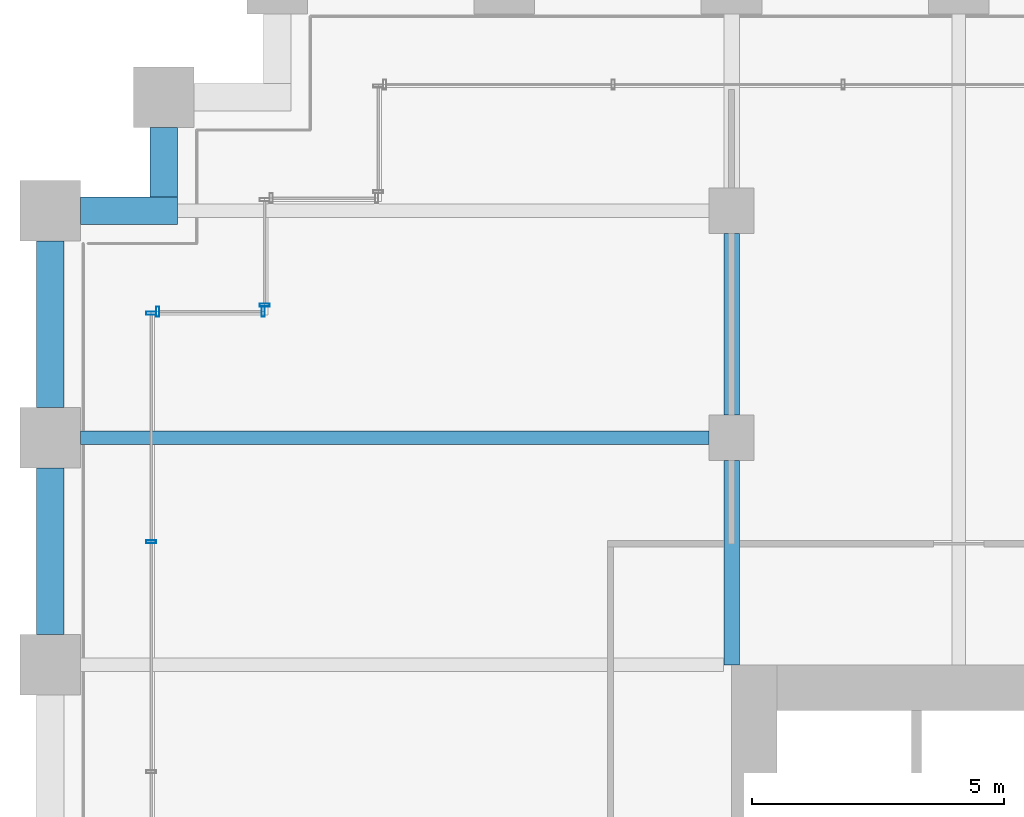
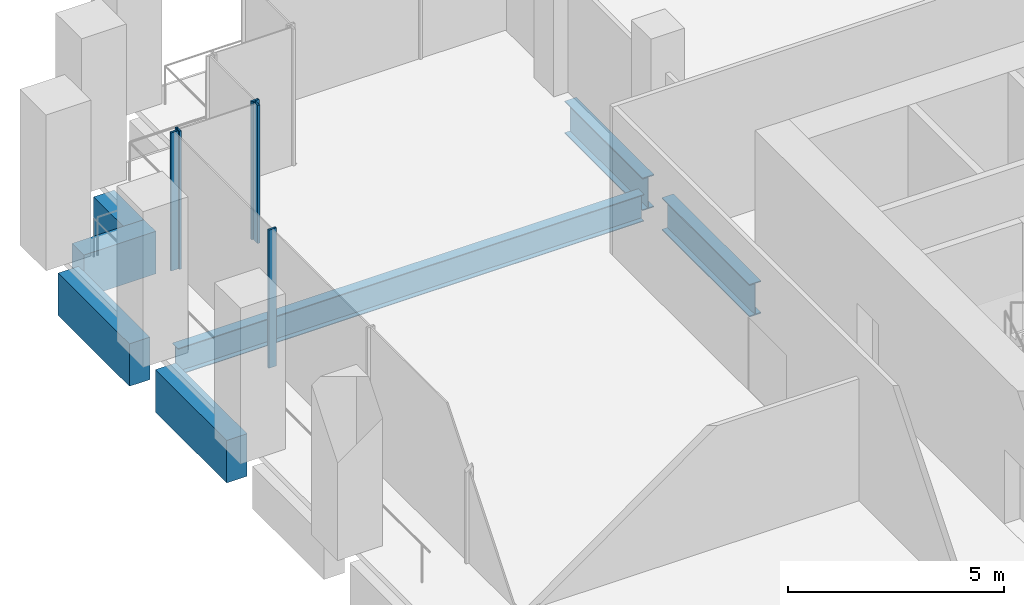
# One storey, part 13 of 36: 7 beams, 5 members, 3 elements without a shape of their own.
"""IFC4 building model written with IfcOpenShell, lengths in metres."""

from ifc_helpers import new_model, si_unit, direction, frame, origin, origin_2d, place, context, subcontext, project, spatial, rectangle, hollow_rectangle, i_section, extrude, material, material_profile, profile_set, type_object, element, aggregate, save


model = new_model("IFC4")

# Units and contexts
model_context = context("Model", 3, precision=1e-05, world=origin(), true_north=direction((0.0, 1.0)))
body_context = subcontext(model_context, "Body", "Model", "MODEL_VIEW")
ifc_project = project(units=[si_unit("LENGTHUNIT", "METRE"), si_unit("AREAUNIT", "SQUARE_METRE"), si_unit("VOLUMEUNIT", "CUBIC_METRE"), si_unit("PLANEANGLEUNIT", "RADIAN"), si_unit("MASSUNIT", "GRAM", prefix="KILO")], contexts=[model_context])

# Site, building, storey
site_placement = place(None, origin())
site = spatial("IfcSite", under=ifc_project, at=site_placement, CompositionType="ELEMENT")
building_placement = place(site_placement, origin())
building = spatial("IfcBuilding", under=site, at=building_placement, Name="Altepetl Exchange Towers", CompositionType="ELEMENT")
storey_placement = place(building_placement, frame((0.0, 0.0, 34.199951171875)))
storey = spatial("IfcBuildingStorey", under=building, at=storey_placement, Name="L07", CompositionType="ELEMENT", Elevation=34.199951171875)

# Beams
ifc_material_1 = material(Name="Steel S355", Category="steel")
ifc_material_profile_1 = material_profile(ifc_material_1, i_section(OverallWidth=0.26611328125, OverallDepth=0.758056640625, WebThickness=0.013916015625, FlangeThickness=0.019287109375, at=origin_2d()), Name="W30X108")
ifc_profile_set_1 = profile_set([ifc_material_profile_1], Name="Steel S355")
beam_type_1 = type_object("IfcBeamType", Name="Floor beam W30X108", PredefinedType="BEAM", material=ifc_profile_set_1)
beam_1_placement = place(storey_placement, frame((27.60009765625, 63.0, -0.553955078125), z_axis=(1.0, 0.0, 0.0), x_axis=(0.0, 1.0, 0.0)))
element("IfcBeam", 1, at=beam_1_placement, inside=storey, type_object=beam_type_1, Name="bm:A:L07:022", PredefinedType="BEAM", context=body_context, shape_type="SweptSolid", body=[
    extrude(i_section(OverallWidth=0.26611328125, OverallDepth=0.758056640625, WebThickness=0.013916015625, FlangeThickness=0.019287109375, at=origin_2d()), origin(), (0.0, 0.0, 1.0), 12.449951171875),
])
ifc_material_profile_2 = material_profile(ifc_material_1, i_section(OverallWidth=0.306884765625, OverallDepth=0.923095703125, WebThickness=0.018310546875, FlangeThickness=0.030029296875, at=origin_2d()), Name="W36X182")
ifc_profile_set_2 = profile_set([ifc_material_profile_2], Name="Steel S355")
beam_type_2 = type_object("IfcBeamType", Name="Girder W36X182", PredefinedType="BEAM", material=ifc_profile_set_2)
beam_2_placement = place(storey_placement, frame((40.5, 67.050048828125, -0.636474609375), z_axis=(0.0, -1.0, 0.0), x_axis=(1.0, 0.0, 0.0)))
element("IfcBeam", 2, at=beam_2_placement, inside=storey, type_object=beam_type_2, Name="gd:A:L07:004", PredefinedType="BEAM", context=body_context, shape_type="SweptSolid", body=[
    extrude(i_section(OverallWidth=0.306884765625, OverallDepth=0.923095703125, WebThickness=0.018310546875, FlangeThickness=0.030029296875, at=origin_2d()), origin(), (0.0, 0.0, 1.0), 3.60009765625),
])
beam_3_placement = place(storey_placement, frame((40.5, 62.550048828125, -0.636474609375), z_axis=(0.0, -1.0, 0.0), x_axis=(1.0, 0.0, 0.0)))
element("IfcBeam", 3, at=beam_3_placement, inside=storey, type_object=beam_type_2, Name="gd:A:L07:005", PredefinedType="BEAM", context=body_context, shape_type="SweptSolid", body=[
    extrude(i_section(OverallWidth=0.306884765625, OverallDepth=0.923095703125, WebThickness=0.018310546875, FlangeThickness=0.030029296875, at=origin_2d()), origin(), (0.0, 0.0, 1.0), 4.050048828125),
])

# Curtain wall, members
ifc_material_2 = material(Name="Aluminium 6063-T6 glazing", Category="aluminium")
curtain_wall_type = type_object("IfcCurtainWallType", Name="Trading floor glazing system", PredefinedType="NOTDEFINED", material=ifc_material_2)
curtain_wall_1_placement = place(storey_placement, origin())
curtain_wall_1 = element("IfcCurtainWall", 4, at=curtain_wall_1_placement, inside=storey, type_object=curtain_wall_type, Name="CW2 run", PredefinedType="NOTDEFINED")
ifc_material_3 = material(Name="Aluminium 6063-T6", Category="aluminium")
ifc_material_profile_3 = material_profile(ifc_material_3, hollow_rectangle(XDim=0.06005859375, YDim=0.199951171875, WallThickness=0.0029296875, at=origin_2d()), Name="Mullion 60x200 aluminium")
ifc_profile_set_3 = profile_set([ifc_material_profile_3], Name="Aluminium 6063-T6")
member_type = type_object("IfcMemberType", Name="Mullion 60x200 aluminium", PredefinedType="MULLION", material=ifc_profile_set_3)
member_1_placement = place(storey_placement, frame((31.219970703125, 65.5, 0.0), z_axis=(0.0, 0.0, 1.0), x_axis=(-1.0, 0.0, 0.0)))
member_1 = element("IfcMember", 5, at=member_1_placement, type_object=member_type, Name="MU2 mullion", PredefinedType="MULLION", context=body_context, shape_type="SweptSolid", body=[
    extrude(hollow_rectangle(XDim=0.06005859375, YDim=0.199951171875, WallThickness=0.0029296875, at=origin_2d()), origin(), (0.0, 0.0, 1.0), 3.900146484375),
])
member_2_placement = place(storey_placement, frame((29.1298828125, 65.5, 0.0), z_axis=(0.0, 0.0, 1.0), x_axis=(-1.0, 0.0, 0.0)))
member_2 = element("IfcMember", 6, at=member_2_placement, type_object=member_type, Name="MU2 mullion", PredefinedType="MULLION", context=body_context, shape_type="SweptSolid", body=[
    extrude(hollow_rectangle(XDim=0.06005859375, YDim=0.199951171875, WallThickness=0.0029296875, at=origin_2d()), origin(), (0.0, 0.0, 1.0), 3.900146484375),
])
aggregate(curtain_wall_1, [member_1, member_2])

curtain_wall_2_placement = place(storey_placement, origin())
curtain_wall_2 = element("IfcCurtainWall", 7, at=curtain_wall_2_placement, inside=storey, type_object=curtain_wall_type, Name="CW2 run", PredefinedType="NOTDEFINED")
member_3_placement = place(storey_placement, frame((29.0, 65.469970703125, 0.0), z_axis=(0.0, 0.0, 1.0), x_axis=(0.0, -1.0, 0.0)))
member_3 = element("IfcMember", 8, at=member_3_placement, type_object=member_type, Name="MU2 mullion", PredefinedType="MULLION", context=body_context, shape_type="SweptSolid", body=[
    extrude(hollow_rectangle(XDim=0.06005859375, YDim=0.199951171875, WallThickness=0.0029296875, at=origin_2d()), origin(), (0.0, 0.0, 1.0), 3.900146484375),
])
member_4_placement = place(storey_placement, frame((29.0, 60.94287109375, 0.0), z_axis=(0.0, 0.0, 1.0), x_axis=(0.0, -1.0, 0.0)))
member_4 = element("IfcMember", 9, at=member_4_placement, type_object=member_type, Name="MU2 mullion", PredefinedType="MULLION", context=body_context, shape_type="SweptSolid", body=[
    extrude(hollow_rectangle(XDim=0.06005859375, YDim=0.199951171875, WallThickness=0.0029296875, at=origin_2d()), origin(), (0.0, 0.0, 1.0), 3.900146484375),
])
aggregate(curtain_wall_2, [member_3, member_4])

# Curtain wall, member
curtain_wall_3_placement = place(storey_placement, origin())
curtain_wall_3 = element("IfcCurtainWall", 10, at=curtain_wall_3_placement, inside=storey, type_object=curtain_wall_type, Name="CW2 run", PredefinedType="NOTDEFINED")
member_5_placement = place(storey_placement, frame((31.25, 65.6298828125, 0.0), z_axis=(0.0, 0.0, 1.0), x_axis=(0.0, -1.0, 0.0)))
member_5 = element("IfcMember", 11, at=member_5_placement, type_object=member_type, Name="MU2 mullion", PredefinedType="MULLION", context=body_context, shape_type="SweptSolid", body=[
    extrude(hollow_rectangle(XDim=0.06005859375, YDim=0.199951171875, WallThickness=0.0029296875, at=origin_2d()), origin(), (0.0, 0.0, 1.0), 3.900146484375),
])
aggregate(curtain_wall_3, [member_5])

# Beams
ifc_material_4 = material(Name="Concrete C50/60 precast with tezontle facing", Category="concrete")
ifc_material_profile_4 = material_profile(ifc_material_4, rectangle(XDim=0.550048828125, YDim=1.199951171875, at=origin_2d()), Name="550 x 1200")
ifc_profile_set_4 = profile_set([ifc_material_profile_4], Name="Concrete C50/60 precast with tezontle facing")
beam_type_3 = type_object("IfcBeamType", Name="Spandrel beam 550x1200 tezontle", PredefinedType="SPANDREL", material=ifc_profile_set_4)
beam_4_placement = place(storey_placement, frame((29.25, 69.14990234375, -0.77490234375), z_axis=(0.0, -1.0, 0.0), x_axis=(1.0, 0.0, 0.0)))
element("IfcBeam", 12, at=beam_4_placement, inside=storey, type_object=beam_type_3, Name="sp:A:L07:034", PredefinedType="SPANDREL", context=body_context, shape_type="SweptSolid", body=[
    extrude(rectangle(XDim=0.550048828125, YDim=1.199951171875, at=origin_2d()), origin(), (0.0, 0.0, 1.0), 1.375),
])
beam_5_placement = place(storey_placement, frame((29.52490234375, 67.5, -0.77490234375), z_axis=(-1.0, 0.0, 0.0), x_axis=(0.0, -1.0, 0.0)))
element("IfcBeam", 13, at=beam_5_placement, inside=storey, type_object=beam_type_3, Name="sp:A:L07:035", PredefinedType="SPANDREL", context=body_context, shape_type="SweptSolid", body=[
    extrude(rectangle(XDim=0.550048828125, YDim=1.199951171875, at=origin_2d()), origin(), (0.0, 0.0, 1.0), 1.9248046875),
])
for number, where, z_axis, x_axis, name in (
    (14, (27.0, 66.89990234375, -0.77490234375), (0.0, -1.0, 0.0), (1.0, 0.0, 0.0), "sp:A:L07:036"),
    (15, (27.0, 62.39990234375, -0.77490234375), (0.0, -1.0, 0.0), (1.0, 0.0, 0.0), "sp:A:L07:037"),
):
    element("IfcBeam", number, at=place(storey_placement, frame(where, z_axis=z_axis, x_axis=x_axis)), inside=storey, type_object=beam_type_3, Name=name, PredefinedType="SPANDREL", context=body_context, shape_type="SweptSolid", body=[
        extrude(rectangle(XDim=0.550048828125, YDim=1.199951171875, at=origin_2d()), origin(), (0.0, 0.0, 1.0), 3.2998046875),
    ])

save(model, "model.ifc")
